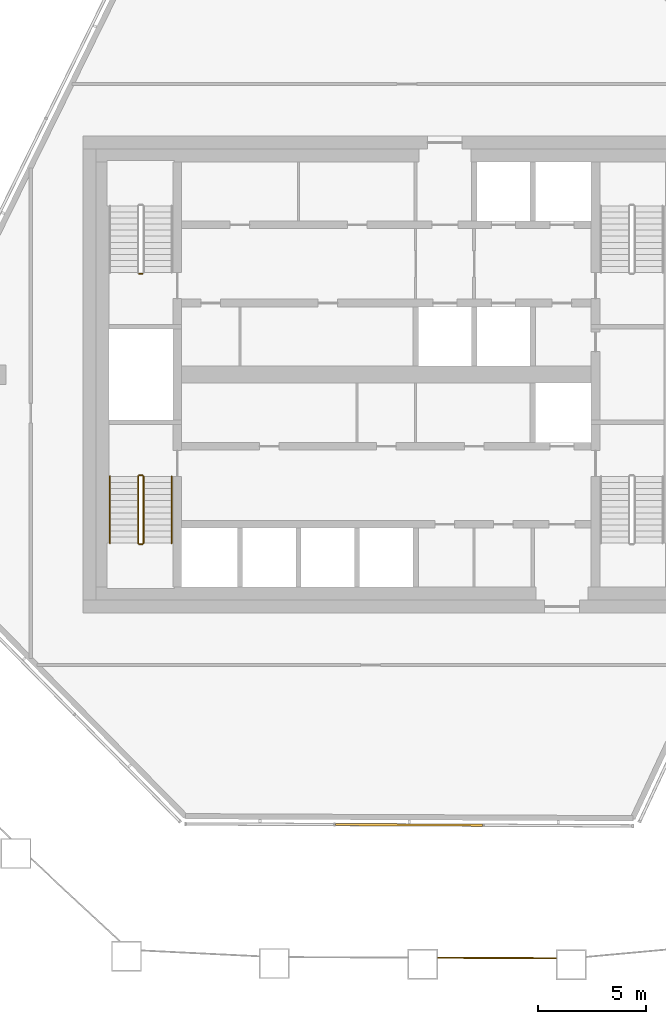
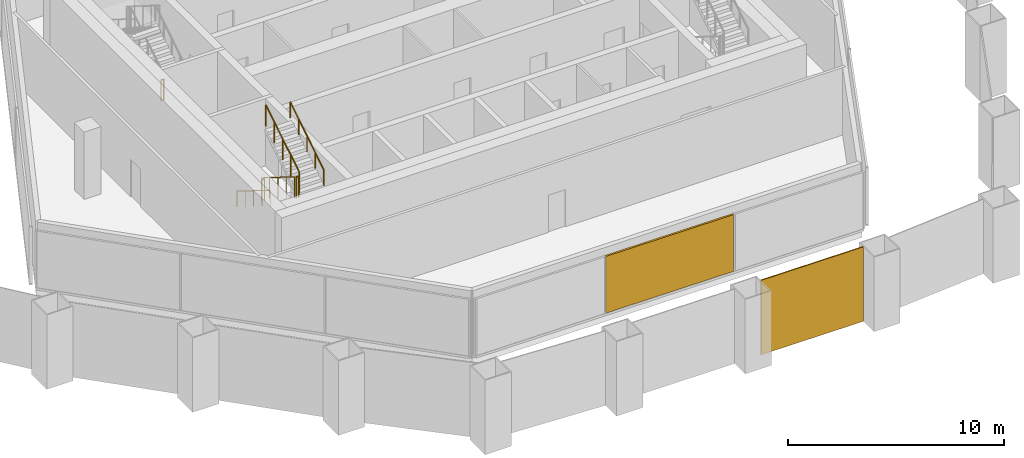
# One storey, part 13 of 18: 7 railings, 2 coverings, 1 element without a shape of its own.
"""IFC4 building model written with IfcOpenShell, lengths in metres."""

from ifc_helpers import new_model, si_unit, direction, frame, origin, origin_2d, place, context, subcontext, project, spatial, polyline, rectangle, circle, outline, extrude, material, layer, layer_set, type_object, element, aggregate, save


model = new_model("IFC4")

# Units and contexts
model_context = context("Model", 3, precision=1e-05, world=origin(), true_north=direction((0.0, 1.0)))
body_context = subcontext(model_context, "Body", "Model", "MODEL_VIEW")
ifc_project = project(units=[si_unit("LENGTHUNIT", "METRE"), si_unit("AREAUNIT", "SQUARE_METRE"), si_unit("VOLUMEUNIT", "CUBIC_METRE"), si_unit("PLANEANGLEUNIT", "RADIAN"), si_unit("MASSUNIT", "GRAM", prefix="KILO")], contexts=[model_context])

# Site, building, storey
site_placement = place(None, origin())
site = spatial("IfcSite", under=ifc_project, at=site_placement, CompositionType="ELEMENT")
building_placement = place(site_placement, origin())
building = spatial("IfcBuilding", under=site, at=building_placement, Name="Dongbaek Canopy Tower", CompositionType="ELEMENT")
storey_placement = place(building_placement, frame((0.0, 0.0, 359.0)))
storey = spatial("IfcBuildingStorey", under=building, at=storey_placement, Name="L77", CompositionType="ELEMENT", Elevation=359.0)

# Covering
ifc_material_1 = material(Name="Perforated pale metal")
ifc_layer_1 = layer(ifc_material_1, 0.06005859375)
ifc_layer_set_1 = layer_set([ifc_layer_1], Name="Crown plant screen")
covering_type_1 = type_object("IfcCoveringType", Name="Crown plant screen", PredefinedType="CLADDING", material=ifc_layer_set_1)
covering_1_placement = place(storey_placement, origin())
element("IfcCovering", 1, at=covering_1_placement, inside=storey, type_object=covering_type_1, Name="Crown plant screen 7 L77", PredefinedType="CLADDING", context=body_context, shape_type="SweptSolid", body=[
    extrude(outline(polyline([(2.383056640625, -26.93017578125), (2.383056640625, -26.8701171875), (7.833984375, -26.893798828125), (7.833984375, -26.953857421875), (2.383056640625, -26.93017578125)])), origin(), (0.0, 0.0, 1.0), 4.199951171875),
])

# Curtain wall, covering
ifc_material_2 = material(Name="Aluminium 6063-T6 pale anodised", Category="aluminium")
ifc_layer_2 = layer(ifc_material_2, 0.14990234375)
ifc_layer_set_2 = layer_set([ifc_layer_2], Name="CW-7 louvre curtain wall")
curtain_wall_type = type_object("IfcCurtainWallType", Name="CW-7 louvre curtain wall", PredefinedType="NOTDEFINED", material=ifc_layer_set_2)
curtain_wall_placement = place(storey_placement, origin())
curtain_wall = element("IfcCurtainWall", 2, at=curtain_wall_placement, inside=storey, type_object=curtain_wall_type, Name="CW-7 louvre wall L77 F0", PredefinedType="NOTDEFINED")
ifc_material_3 = material(Name="Aluminium 6063-T6 pale metal louvre blades", Category="aluminium")
ifc_layer_3 = layer(ifc_material_3, 0.10009765625)
ifc_layer_set_3 = layer_set([ifc_layer_3], Name="Louvre LV bank 100 x 3200")
covering_type_2 = type_object("IfcCoveringType", Name="Louvre LV bank 100 x 3200", PredefinedType="CLADDING", material=ifc_layer_set_3)
covering_2_placement = place(storey_placement, frame((1.04931640625, -20.772705078125, 0.2998046875), z_axis=(0.0, 0.0, 1.0), x_axis=(0.999990026762, -0.004466136555, 0.0)))
covering_2 = element("IfcCovering", 3, at=covering_2_placement, type_object=covering_type_2, Name="Louvre L77 F0.1.2", PredefinedType="CLADDING", context=body_context, shape_type="SweptSolid", body=[
    extrude(rectangle(XDim=6.787841796875, YDim=0.10009765625, at=origin_2d()), origin(), (0.0, 0.0, 1.0), 3.199951171875),
])
aggregate(curtain_wall, [covering_2])

# Railings
ifc_material_4 = material(Name="Stainless steel tube and balusters", Category="steel")
railing_type_1 = type_object("IfcRailingType", Name="Stair guard 1200", PredefinedType="GUARDRAIL", material=ifc_material_4)
railing_1_placement = place(storey_placement, frame((-11.25, 4.64990234375, 0.0)))
element("IfcRailing", 4, at=railing_1_placement, inside=storey, type_object=railing_type_1, Name="L77 ST-C stair guard 4", PredefinedType="GUARDRAIL", context=body_context, shape_type="SweptSolid", body=[
    extrude(circle(Radius=0.02392578125, at=origin_2d()), frame((0.0, 0.0, 1.17578125), z_axis=(-1.0, 0.0, 0.0), x_axis=(0.0, -1.0, 0.0)), (0.0, 0.0, 1.0), 0.14990234375),
    extrude(circle(Radius=0.02099609375, at=origin_2d()), origin(), (0.0, 0.0, 1.0), 1.15185546875),
    extrude(circle(Radius=0.02099609375, at=origin_2d()), frame((-0.14990234375, 0.0, 0.0)), (0.0, 0.0, 1.0), 1.15185546875),
])
railing_2_placement = place(storey_placement, frame((-11.449951171875, -4.699951171875, 0.175048828125)))
element("IfcRailing", 5, at=railing_2_placement, inside=storey, type_object=railing_type_1, Name="L77 ST-D stair guard 1", PredefinedType="GUARDRAIL", context=body_context, shape_type="SweptSolid", body=[
    extrude(circle(Radius=0.02392578125, at=origin_2d()), frame((0.0, 0.0, 1.17578125), z_axis=(0.0, -0.847998304005, 0.529998940003), x_axis=(1.0, 0.0, 0.0)), (0.0, 0.0, 1.0), 3.632080078125),
    extrude(circle(Radius=0.02099609375, at=origin_2d()), origin(), (0.0, 0.0, 1.0), 1.15185546875),
    extrude(circle(Radius=0.02099609375, at=origin_2d()), frame((0.0, -0.77001953125, 0.481201171875)), (0.0, 0.0, 1.0), 1.15185546875),
    extrude(circle(Radius=0.02099609375, at=origin_2d()), frame((0.0, -1.5400390625, 0.96240234375)), (0.0, 0.0, 1.0), 1.15185546875),
    extrude(circle(Radius=0.02099609375, at=origin_2d()), frame((0.0, -2.31005859375, 1.44384765625)), (0.0, 0.0, 1.0), 1.15185546875),
    extrude(circle(Radius=0.02099609375, at=origin_2d()), frame((0.0, -3.080078125, 1.925048828125)), (0.0, 0.0, 1.0), 1.15185546875),
])
railing_3_placement = place(storey_placement, frame((-11.39990234375, -7.830078125, 2.10009765625)))
element("IfcRailing", 6, at=railing_3_placement, inside=storey, type_object=railing_type_1, Name="L77 ST-D stair guard 2", PredefinedType="GUARDRAIL", context=body_context, shape_type="SweptSolid", body=[
    extrude(circle(Radius=0.02392578125, at=origin_2d()), frame((0.0, 0.0, 1.17578125), z_axis=(1.0, 0.0, 0.0), x_axis=(0.0, 1.0, 0.0)), (0.0, 0.0, 1.0), 0.14990234375),
    extrude(circle(Radius=0.02099609375, at=origin_2d()), origin(), (0.0, 0.0, 1.0), 1.15185546875),
    extrude(circle(Radius=0.02099609375, at=origin_2d()), frame((0.14990234375, 0.0, 0.0)), (0.0, 0.0, 1.0), 1.15185546875),
])
railing_4_placement = place(storey_placement, frame((-11.199951171875, -7.780029296875, 2.27490234375)))
element("IfcRailing", 7, at=railing_4_placement, inside=storey, type_object=railing_type_1, Name="L77 ST-D stair guard 3", PredefinedType="GUARDRAIL", context=body_context, shape_type="SweptSolid", body=[
    extrude(circle(Radius=0.02392578125, at=origin_2d()), frame((0.0, 0.0, 1.17578125), z_axis=(0.0, 0.847998304005, 0.529998940003), x_axis=(-1.0, 0.0, 0.0)), (0.0, 0.0, 1.0), 3.632080078125),
    extrude(circle(Radius=0.02099609375, at=origin_2d()), origin(), (0.0, 0.0, 1.0), 1.15185546875),
    extrude(circle(Radius=0.02099609375, at=origin_2d()), frame((0.0, 0.77001953125, 0.481201171875)), (0.0, 0.0, 1.0), 1.15185546875),
    extrude(circle(Radius=0.02099609375, at=origin_2d()), frame((0.0, 1.5400390625, 0.96240234375)), (0.0, 0.0, 1.0), 1.15185546875),
    extrude(circle(Radius=0.02099609375, at=origin_2d()), frame((0.0, 2.31005859375, 1.44384765625)), (0.0, 0.0, 1.0), 1.15185546875),
    extrude(circle(Radius=0.02099609375, at=origin_2d()), frame((0.0, 3.080078125, 1.925048828125)), (0.0, 0.0, 1.0), 1.15185546875),
])
railing_5_placement = place(storey_placement, frame((-11.39990234375, -4.64990234375, 0.0)))
element("IfcRailing", 8, at=railing_5_placement, inside=storey, type_object=railing_type_1, Name="L77 ST-D stair guard 4", PredefinedType="GUARDRAIL", context=body_context, shape_type="SweptSolid", body=[
    extrude(circle(Radius=0.02392578125, at=origin_2d()), frame((0.0, 0.0, 1.17578125), z_axis=(1.0, 0.0, 0.0), x_axis=(0.0, 1.0, 0.0)), (0.0, 0.0, 1.0), 0.14990234375),
    extrude(circle(Radius=0.02099609375, at=origin_2d()), origin(), (0.0, 0.0, 1.0), 1.15185546875),
    extrude(circle(Radius=0.02099609375, at=origin_2d()), frame((0.14990234375, 0.0, 0.0)), (0.0, 0.0, 1.0), 1.15185546875),
])
ifc_material_5 = material(Name="Stainless steel tube", Category="steel")
railing_type_2 = type_object("IfcRailingType", Name="Stair handrail 900", PredefinedType="HANDRAIL", material=ifc_material_5)
railing_6_placement = place(storey_placement, frame((-12.75, -4.699951171875, 0.175048828125)))
element("IfcRailing", 9, at=railing_6_placement, inside=storey, type_object=railing_type_2, Name="L77 ST-D stair handrail 1", PredefinedType="HANDRAIL", context=body_context, shape_type="SweptSolid", body=[
    extrude(circle(Radius=0.02392578125, at=origin_2d()), frame((0.0, 0.0, 0.8759765625), z_axis=(0.0, -0.847998304005, 0.529998940003), x_axis=(1.0, 0.0, 0.0)), (0.0, 0.0, 1.0), 3.632080078125),
    extrude(circle(Radius=0.02099609375, at=origin_2d()), origin(), (0.0, 0.0, 1.0), 0.851806640625),
    extrude(circle(Radius=0.02099609375, at=origin_2d()), frame((0.0, -0.77001953125, 0.481201171875)), (0.0, 0.0, 1.0), 0.851806640625),
    extrude(circle(Radius=0.02099609375, at=origin_2d()), frame((0.0, -1.5400390625, 0.96240234375)), (0.0, 0.0, 1.0), 0.851806640625),
    extrude(circle(Radius=0.02099609375, at=origin_2d()), frame((0.0, -2.31005859375, 1.44384765625)), (0.0, 0.0, 1.0), 0.851806640625),
    extrude(circle(Radius=0.02099609375, at=origin_2d()), frame((0.0, -3.080078125, 1.925048828125)), (0.0, 0.0, 1.0), 0.851806640625),
])
railing_7_placement = place(storey_placement, frame((-9.89990234375, -7.780029296875, 2.27490234375)))
element("IfcRailing", 10, at=railing_7_placement, inside=storey, type_object=railing_type_2, Name="L77 ST-D stair handrail 2", PredefinedType="HANDRAIL", context=body_context, shape_type="SweptSolid", body=[
    extrude(circle(Radius=0.02392578125, at=origin_2d()), frame((0.0, 0.0, 0.8759765625), z_axis=(0.0, 0.847998304005, 0.529998940003), x_axis=(-1.0, 0.0, 0.0)), (0.0, 0.0, 1.0), 3.632080078125),
    extrude(circle(Radius=0.02099609375, at=origin_2d()), origin(), (0.0, 0.0, 1.0), 0.851806640625),
    extrude(circle(Radius=0.02099609375, at=origin_2d()), frame((0.0, 0.77001953125, 0.481201171875)), (0.0, 0.0, 1.0), 0.851806640625),
    extrude(circle(Radius=0.02099609375, at=origin_2d()), frame((0.0, 1.5400390625, 0.96240234375)), (0.0, 0.0, 1.0), 0.851806640625),
    extrude(circle(Radius=0.02099609375, at=origin_2d()), frame((0.0, 2.31005859375, 1.44384765625)), (0.0, 0.0, 1.0), 0.851806640625),
    extrude(circle(Radius=0.02099609375, at=origin_2d()), frame((0.0, 3.080078125, 1.925048828125)), (0.0, 0.0, 1.0), 0.851806640625),
])

save(model, "model.ifc")
